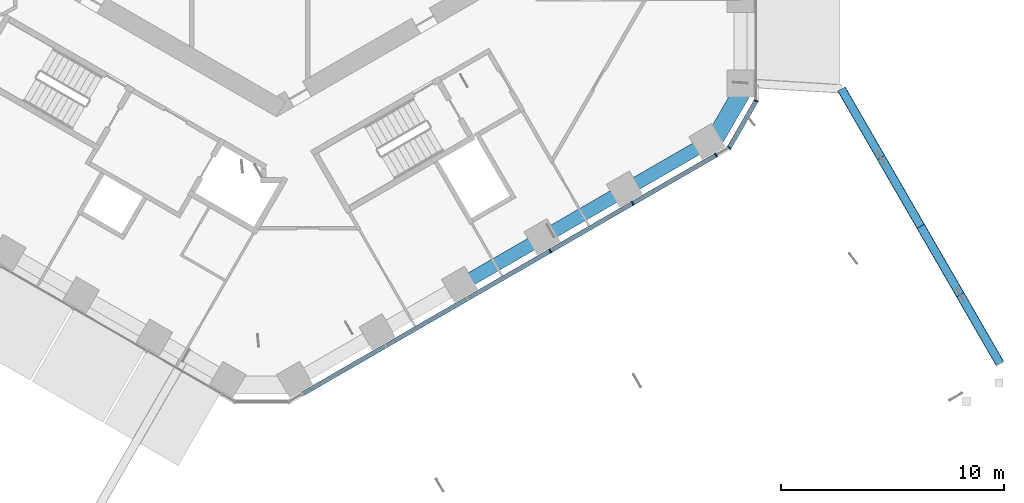
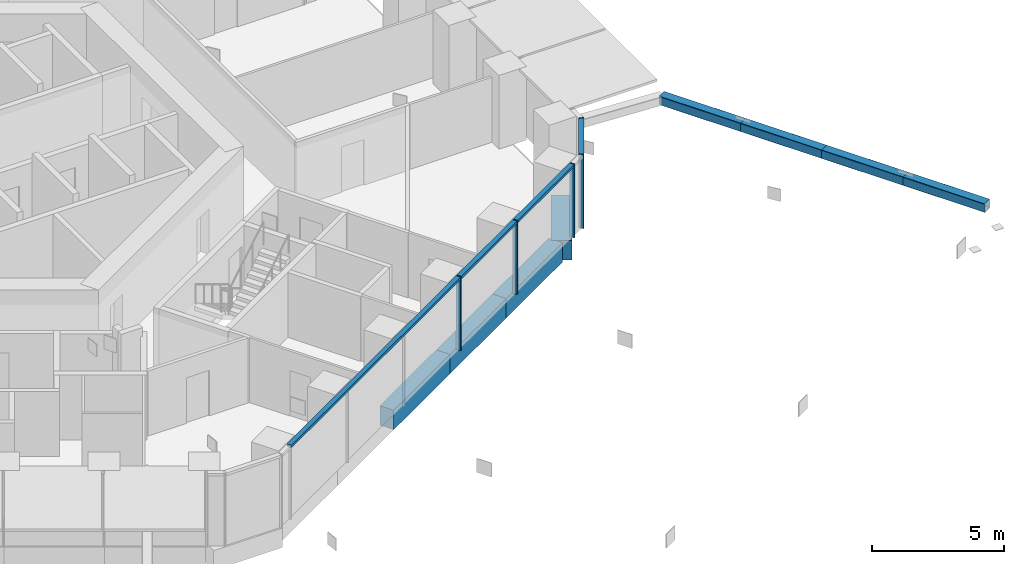
# One storey, part 3 of 22: 11 members, 4 beams, 2 elements without a shape of their own.
"""IFC4 building model written with IfcOpenShell, lengths in metres."""

import ifcopenshell
import ifcopenshell.guid

model = None  # the IFC model being written
_history = None  # IfcOwnerHistory: only IFC2X3 demands one
_inside = {}  # id of a spatial element -> (the spatial element, [elements in it])
_under = {}  # id of a project, library or spatial element -> (it, [spatial elements below it])
_declared = {}  # id of a project -> (the project, [libraries it declares])
_typed = {}  # id of a type object -> (the type object, [elements of that type])
_made_of = {}  # id of a material, layer set ... -> (it, [elements and type objects made of it])


def new_model(schema):
    """Start an empty IFC model of exactly this schema.

    Asked for "IFC4X3", IfcOpenShell would pick the latest addendum, in which some entities
    have other attributes; the version numbers below select the first issue.
    IFC2X3 requires an IfcOwnerHistory on every rooted entity: one is made here for all.
    """
    global model, _history
    if schema == "IFC4X3":
        model = ifcopenshell.file(schema_version=(4, 3, 0, 0))
    else:
        model = ifcopenshell.file(schema=schema)
    _inside.clear()
    _under.clear()
    _declared.clear()
    _typed.clear()
    _made_of.clear()
    _history = None
    if model.schema == "IFC2X3":
        org = make("IfcOrganization", Name="unknown")
        user = make(
            "IfcPersonAndOrganization",
            ThePerson=make("IfcPerson", FamilyName="unknown"),
            TheOrganization=org,
        )
        app = make(
            "IfcApplication",
            ApplicationDeveloper=org,
            Version="unknown",
            ApplicationFullName="unknown",
            ApplicationIdentifier="unknown",
        )
        _history = make(
            "IfcOwnerHistory",
            OwningUser=user,
            OwningApplication=app,
            ChangeAction="ADDED",
            CreationDate=0,
        )
    return model


def make(cls, **values):
    """One entity of the class cls with the attributes given. An attribute that is None is left unset."""
    return model.create_entity(
        cls, **{name: value for name, value in values.items() if value is not None}
    )


def rooted(cls, **values):
    """An entity with a GlobalId (a new one), such as an element, a storey or a relation."""
    return make(cls, GlobalId=ifcopenshell.guid.new(), OwnerHistory=_history, **values)


def si_unit(unit_type, name, prefix=None):
    """IfcSIUnit, for example si_unit("LENGTHUNIT", "METRE", prefix="MILLI")."""
    return make("IfcSIUnit", UnitType=unit_type, Prefix=prefix, Name=name)


def assignment(units):
    """IfcUnitAssignment: the units of a project."""
    return None if units is None else make("IfcUnitAssignment", Units=units)


def point(xyz):
    """IfcCartesianPoint."""
    return None if xyz is None else make("IfcCartesianPoint", Coordinates=xyz)


def direction(xyz):
    """IfcDirection."""
    return None if xyz is None else make("IfcDirection", DirectionRatios=xyz)


def frame(location, z_axis=None, x_axis=None):
    """IfcAxis2Placement3D, a coordinate frame: its origin and axes. An axis left out is left unset."""
    return make(
        "IfcAxis2Placement3D",
        Location=point(location),
        Axis=direction(z_axis),
        RefDirection=direction(x_axis),
    )


def frame_2d(location, x_axis=None):
    """IfcAxis2Placement2D, a coordinate frame in the plane: its origin and x axis."""
    return make(
        "IfcAxis2Placement2D", Location=point(location), RefDirection=direction(x_axis)
    )


def origin():
    """The frame at (0, 0, 0) with its axes left unset."""
    return frame((0.0, 0.0, 0.0))


def origin_2d():
    """The frame at (0, 0) in the plane with its x axis left unset."""
    return frame_2d((0.0, 0.0))


def place(relative_to, where):
    """IfcLocalPlacement: puts the frame where relative to a parent placement (None: the world)."""
    return make(
        "IfcLocalPlacement", PlacementRelTo=relative_to, RelativePlacement=where
    )


def context(
    kind, dimensions, precision=None, world=None, true_north=None, identifier=None
):
    """IfcGeometricRepresentationContext, for example the 3D "Model" context."""
    return make(
        "IfcGeometricRepresentationContext",
        ContextIdentifier=identifier,
        ContextType=kind,
        CoordinateSpaceDimension=dimensions,
        Precision=precision,
        WorldCoordinateSystem=world,
        TrueNorth=true_north,
    )


def subcontext(parent, identifier, kind, view, scale=None):
    """IfcGeometricRepresentationSubContext, for example "Body" below "Model"."""
    return make(
        "IfcGeometricRepresentationSubContext",
        ContextIdentifier=identifier,
        ContextType=kind,
        ParentContext=parent,
        TargetScale=scale,
        TargetView=view,
    )


def project(units=None, contexts=None):
    """IfcProject with its units and contexts."""
    return rooted(
        "IfcProject",
        Name="project",
        RepresentationContexts=contexts,
        UnitsInContext=assignment(units),
    )


def spatial(cls, under=None, at=None, **own):
    """A site, building, storey or space (cls), placed at a placement, below another one or the project."""
    s = rooted(cls, ObjectPlacement=at, **own)
    if under is not None:
        _under.setdefault(under.id(), (under, []))[1].append(s)
    return s


def profile(cls, at=None, kind="AREA", **sizes):
    """A parametric profile (cls). Its sizes go by their IFC names, for example OverallWidth=200.0."""
    return make(cls, ProfileType=kind, Position=at, **sizes)


def rectangle(**sizes):
    """IfcRectangleProfileDef."""
    return profile("IfcRectangleProfileDef", **sizes)


def hollow_rectangle(**sizes):
    """IfcRectangleHollowProfileDef."""
    return profile("IfcRectangleHollowProfileDef", **sizes)


def extrude(swept, where, along, depth):
    """IfcExtrudedAreaSolid: the profile swept, set in the frame where, extruded along a direction by depth."""
    return make(
        "IfcExtrudedAreaSolid",
        SweptArea=swept,
        Position=where,
        ExtrudedDirection=direction(along),
        Depth=depth,
    )


def shape(context_of_items, identifier, shape_type, items):
    """IfcShapeRepresentation: the items that make up one representation, for example the "Body"."""
    return make(
        "IfcShapeRepresentation",
        ContextOfItems=context_of_items,
        RepresentationIdentifier=identifier,
        RepresentationType=shape_type,
        Items=items,
    )


def material(Name=None, Category=None):
    """IfcMaterial."""
    return make("IfcMaterial", Name=Name, Category=Category)


def layer(
    of_material, thickness, ventilated=None, Name=None, Category=None, Priority=None
):
    """IfcMaterialLayer: one layer of a wall or slab, of a material (None: an air gap)."""
    return make(
        "IfcMaterialLayer",
        Material=of_material,
        LayerThickness=thickness,
        IsVentilated=ventilated,
        Name=Name,
        Category=Category,
        Priority=Priority,
    )


def layer_set(layers, Name=None):
    """IfcMaterialLayerSet."""
    return make("IfcMaterialLayerSet", MaterialLayers=layers, LayerSetName=Name)


def material_profile(
    of_material, cross_section, Name=None, Category=None, Priority=None
):
    """IfcMaterialProfile: a cross section and its material."""
    return make(
        "IfcMaterialProfile",
        Name=Name,
        Material=of_material,
        Profile=cross_section,
        Priority=Priority,
        Category=Category,
    )


def profile_set(profiles, Name=None, composite=None):
    """IfcMaterialProfileSet."""
    return make(
        "IfcMaterialProfileSet",
        Name=Name,
        MaterialProfiles=profiles,
        CompositeProfile=composite,
    )


def made_of(thing, what):
    """Note that an element or type object is made of a material, layer set ...; save() writes the relation."""
    if what is not None:
        _made_of.setdefault(what.id(), (what, []))[1].append(thing)
    return thing


def type_object(cls, material=None, **own):
    """A type object (cls), such as IfcWallType, which elements share."""
    return made_of(rooted(cls, **own), material)


def element(
    cls,
    number,
    at=None,
    inside=None,
    cuts=None,
    type_object=None,
    material=None,
    context=None,
    identifier="Body",
    shape_type=None,
    held_by="IfcProductDefinitionShape",
    body=None,
    shapes=None,
    **own,
):
    """One element of the class cls, such as IfcWall. Its Tag is "e" and its number.

    at: its placement. inside: the storey or other place that contains it. cuts: it is an
    opening in that element (IfcRelVoidsElement). A single representation is given by context,
    identifier, shape_type and body (its items); several are given by shapes. held_by: the class
    of the entity that holds the representations. save() writes the other relations.
    """
    e = rooted(cls, Tag="e%d" % number, ObjectPlacement=at, **own)
    if body is not None:
        shapes = [shape(context, identifier, shape_type, body)]
    if shapes is not None:
        e.Representation = make(held_by, Representations=shapes)
    if inside is not None:
        _inside.setdefault(inside.id(), (inside, []))[1].append(e)
    if cuts is not None:
        rooted(
            "IfcRelVoidsElement", RelatingBuildingElement=cuts, RelatedOpeningElement=e
        )
    if type_object is not None:
        _typed.setdefault(type_object.id(), (type_object, []))[1].append(e)
    return made_of(e, material)


def aggregate(whole, parts):
    """IfcRelAggregates: a whole, such as a stair, and the parts it consists of."""
    return rooted("IfcRelAggregates", RelatingObject=whole, RelatedObjects=parts)


def save(model, path):
    """Write the relations noted so far, then the file.

    IfcRelAggregates (storeys below a building ...), IfcRelContainedInSpatialStructure (elements
    in a storey), IfcRelDefinesByType, IfcRelAssociatesMaterial and IfcRelDeclares: one each for
    every whole, place, type object, material and project.
    """
    for whole, parts in _under.values():
        aggregate(whole, parts)
    for where, things in _inside.values():
        rooted(
            "IfcRelContainedInSpatialStructure",
            RelatedElements=things,
            RelatingStructure=where,
        )
    for kind, things in _typed.values():
        rooted("IfcRelDefinesByType", RelatedObjects=things, RelatingType=kind)
    for what, things in _made_of.values():
        rooted("IfcRelAssociatesMaterial", RelatedObjects=things, RelatingMaterial=what)
    for by, libraries in _declared.values():
        rooted("IfcRelDeclares", RelatingContext=by, RelatedDefinitions=libraries)
    model.write(path)


model = new_model("IFC4")

# Units and contexts
model_context = context("Model", 3, precision=1e-05, world=origin(), true_north=direction((0.0, 1.0)))
body_context = subcontext(model_context, "Body", "Model", "MODEL_VIEW")
ifc_project = project(units=[si_unit("LENGTHUNIT", "METRE"), si_unit("AREAUNIT", "SQUARE_METRE"), si_unit("VOLUMEUNIT", "CUBIC_METRE"), si_unit("PLANEANGLEUNIT", "RADIAN"), si_unit("MASSUNIT", "GRAM", prefix="KILO")], contexts=[model_context])

# Site, building, storey
site_placement = place(None, origin())
site = spatial("IfcSite", under=ifc_project, at=site_placement, CompositionType="ELEMENT")
building_placement = place(site_placement, origin())
building = spatial("IfcBuilding", under=site, at=building_placement, Name="Ayvan Gate Tower", CompositionType="ELEMENT")
storey_placement = place(building_placement, frame((0.0, 0.0, 62.89990234375)))
storey = spatial("IfcBuildingStorey", under=building, at=storey_placement, Name="L16", CompositionType="ELEMENT", Elevation=62.89990234375)

# Beam
ifc_material_1 = material(Name="Concrete C40/50", Category="concrete")
ifc_material_profile_1 = material_profile(ifc_material_1, rectangle(XDim=0.800048828125, YDim=0.89990234375, at=origin_2d()), Name="RC 800x900")
ifc_profile_set_1 = profile_set([ifc_material_profile_1], Name="Concrete C40/50")
beam_type_1 = type_object("IfcBeamType", Name="Corner spandrel beam RC 800x900 C40/50", PredefinedType="BEAM", material=ifc_profile_set_1)
beam_1_placement = place(storey_placement, frame((19.47509765625, -12.23828125, -0.7998046875), z_axis=(0.50002537861, 0.866010750942, 0.0), x_axis=(-0.866010750942, 0.50002537861, 0.0)))
element("IfcBeam", 1, at=beam_1_placement, inside=storey, type_object=beam_type_1, Name="SB-L16-36", PredefinedType="BEAM", context=body_context, shape_type="SweptSolid", body=[
    extrude(rectangle(XDim=0.800048828125, YDim=0.89990234375, at=origin_2d()), origin(), (0.0, 0.0, 1.0), 2.999755859375),
])

# Members
ifc_material_2 = material(Name="Steel S460NH", Category="steel")
ifc_material_profile_2 = material_profile(ifc_material_2, hollow_rectangle(XDim=0.39990234375, YDim=0.39990234375, WallThickness=0.02001953125, InnerFilletRadius=0.02001953125, OuterFilletRadius=0.030029296875, at=origin_2d()), Name="RHS 400x400x20")
ifc_profile_set_2 = profile_set([ifc_material_profile_2], Name="Steel S460NH")
member_type_1 = type_object("IfcMemberType", Name="Sky bar truss brace B1 RHS 400x400x20", PredefinedType="BRACE", material=ifc_profile_set_2)
for number, where, z_axis, x_axis, name in (
    (2, (25.306396484375, -9.7216796875, 2.650146484375), (0.499970499736, -0.8660424351, 0.0), (0.8660424351, 0.499970499736, 0.0), "SBX1-A-BC-2"),
    (3, (27.081298828125, -12.796142578125, 2.650146484375), (0.499970499736, -0.8660424351, 0.0), (0.8660424351, 0.499970499736, 0.0), "SBX1-A-BC-3"),
):
    element("IfcMember", number, at=place(storey_placement, frame(where, z_axis=z_axis, x_axis=x_axis)), inside=storey, type_object=member_type_1, Name=name, PredefinedType="CHORD", context=body_context, shape_type="SweptSolid", body=[
        extrude(hollow_rectangle(XDim=0.39990234375, YDim=0.39990234375, WallThickness=0.02001953125, InnerFilletRadius=0.02001953125, OuterFilletRadius=0.030029296875, at=origin_2d()), origin(), (0.0, 0.0, 1.0), 3.550048828125),
    ])
member_1_placement = place(storey_placement, frame((28.856201171875, -15.87060546875, 2.650146484375), z_axis=(0.500051858269, -0.865995461329, 0.0), x_axis=(0.865995461329, 0.500051858269, 0.0)))
element("IfcMember", 4, at=member_1_placement, inside=storey, type_object=member_type_1, Name="SBX1-A-BC-4", PredefinedType="CHORD", context=body_context, shape_type="SweptSolid", body=[
    extrude(hollow_rectangle(XDim=0.39990234375, YDim=0.39990234375, WallThickness=0.02001953125, InnerFilletRadius=0.02001953125, OuterFilletRadius=0.030029296875, at=origin_2d()), origin(), (0.0, 0.0, 1.0), 3.5498046875),
])
member_2_placement = place(storey_placement, frame((30.63134765625, -18.94482421875, 2.650146484375), z_axis=(0.499970499736, -0.8660424351, 0.0), x_axis=(0.8660424351, 0.499970499736, 0.0)))
element("IfcMember", 5, at=member_2_placement, inside=storey, type_object=member_type_1, Name="SBX1-A-BC-5", PredefinedType="CHORD", context=body_context, shape_type="SweptSolid", body=[
    extrude(hollow_rectangle(XDim=0.39990234375, YDim=0.39990234375, WallThickness=0.02001953125, InnerFilletRadius=0.02001953125, OuterFilletRadius=0.030029296875, at=origin_2d()), origin(), (0.0, 0.0, 1.0), 3.550048828125),
])

# Beams
ifc_material_profile_3 = material_profile(ifc_material_1, rectangle(XDim=0.60009765625, YDim=0.89990234375, at=origin_2d()), Name="RC 600x900")
ifc_profile_set_3 = profile_set([ifc_material_profile_3], Name="Concrete C40/50")
beam_type_2 = type_object("IfcBeamType", Name="Spandrel beam RC 600x900 C40/50", PredefinedType="BEAM", material=ifc_profile_set_3)
beam_2_placement = place(storey_placement, frame((8.23046875, -18.510498046875, -0.7998046875), z_axis=(0.866024102175, 0.500002254446, 0.0), x_axis=(-0.500002254446, 0.866024102175, 0.0)))
element("IfcBeam", 6, at=beam_2_placement, inside=storey, type_object=beam_type_2, Name="SB-L16-33", PredefinedType="BEAM", context=body_context, shape_type="SweptSolid", body=[
    extrude(rectangle(XDim=0.60009765625, YDim=0.89990234375, at=origin_2d()), origin(), (0.0, 0.0, 1.0), 4.2548828125),
])
for number, where, z_axis, x_axis, name in (
    (7, (11.915283203125, -16.383056640625, -0.7998046875), (0.866009756179, 0.500027101468, 0.0), (-0.500027101468, 0.866009756179, 0.0), "SB-L16-34"),
    (8, (15.599853515625, -14.255615234375, -0.7998046875), (0.866048947811, 0.499959218332, 0.0), (-0.499959218332, 0.866048947811, 0.0), "SB-L16-35"),
):
    element("IfcBeam", number, at=place(storey_placement, frame(where, z_axis=z_axis, x_axis=x_axis)), inside=storey, type_object=beam_type_2, Name=name, PredefinedType="BEAM", context=body_context, shape_type="SweptSolid", body=[
        extrude(rectangle(XDim=0.60009765625, YDim=0.89990234375, at=origin_2d()), origin(), (0.0, 0.0, 1.0), 4.254638671875),
    ])

# Curtain wall, members
ifc_material_3 = material(Name="Bronze anodised aluminium", Category="aluminium")
ifc_layer_1 = layer(ifc_material_3, 0.199951171875)
ifc_layer_set_1 = layer_set([ifc_layer_1], Name="Bronze anodised aluminium")
curtain_wall_type_1 = type_object("IfcCurtainWallType", Name="Stick curtain wall CW-1", PredefinedType="NOTDEFINED", material=ifc_layer_set_1)
curtain_wall_1_placement = place(storey_placement, origin())
curtain_wall_1 = element("IfcCurtainWall", 9, at=curtain_wall_1_placement, inside=storey, type_object=curtain_wall_type_1, Name="Stick curtain wall CW-1 L16", PredefinedType="NOTDEFINED")
ifc_material_profile_4 = material_profile(ifc_material_3, rectangle(XDim=0.199951171875, YDim=0.06005859375, at=origin_2d()), Name="Stick curtain wall CW-1 mullion 200 x 60")
ifc_profile_set_4 = profile_set([ifc_material_profile_4], Name="Bronze anodised aluminium")
member_type_2 = type_object("IfcMemberType", Name="Stick curtain wall CW-1 mullion 200 x 60", PredefinedType="MULLION", material=ifc_profile_set_4)
member_3_placement = place(storey_placement, frame((12.26220703125, -16.974853515625, 0.0), z_axis=(0.0, 0.0, 1.0), x_axis=(0.5, -0.866025403784, 0.0)))
member_3 = element("IfcMember", 10, at=member_3_placement, type_object=member_type_2, Name="CW-1 mullion 4", PredefinedType="MULLION", context=body_context, shape_type="SweptSolid", body=[
    extrude(rectangle(XDim=0.199951171875, YDim=0.06005859375, at=origin_2d()), origin(), (0.0, 0.0, 1.0), 3.400146484375),
])
member_4_placement = place(storey_placement, frame((15.955810546875, -14.84228515625, 0.0), z_axis=(0.0, 0.0, 1.0), x_axis=(0.5, -0.866025403784, 0.0)))
member_4 = element("IfcMember", 11, at=member_4_placement, type_object=member_type_2, Name="CW-1 mullion 5", PredefinedType="MULLION", context=body_context, shape_type="SweptSolid", body=[
    extrude(rectangle(XDim=0.199951171875, YDim=0.06005859375, at=origin_2d()), origin(), (0.0, 0.0, 1.0), 3.400146484375),
])
member_5_placement = place(storey_placement, frame((19.6884765625, -12.687255859375, 0.0), z_axis=(0.0, 0.0, 1.0), x_axis=(0.5, -0.866025403784, 0.0)))
member_5 = element("IfcMember", 12, at=member_5_placement, type_object=member_type_2, Name="CW-1 mullion 6", PredefinedType="MULLION", context=body_context, shape_type="SweptSolid", body=[
    extrude(rectangle(XDim=0.199951171875, YDim=0.06005859375, at=origin_2d()), origin(), (0.0, 0.0, 1.0), 3.400146484375),
])
ifc_material_profile_5 = material_profile(ifc_material_3, rectangle(XDim=0.199951171875, YDim=0.1201171875, at=origin_2d()), Name="Stick curtain wall CW-1 transom 200 x 120")
ifc_profile_set_5 = profile_set([ifc_material_profile_5], Name="Bronze anodised aluminium")
member_type_3 = type_object("IfcMemberType", Name="Stick curtain wall CW-1 transom 200 x 120", PredefinedType="USERDEFINED", material=ifc_profile_set_5)
member_6_placement = place(storey_placement, frame((1.143310546875, -23.394287109375, 3.340087890625), z_axis=(0.866025916208, 0.499999112455, 0.0), x_axis=(-0.499999112455, 0.866025916208, 0.0)))
member_6 = element("IfcMember", 13, at=member_6_placement, type_object=member_type_3, Name="CW-1 transom 1", ObjectType="TRANSOM", PredefinedType="USERDEFINED", context=body_context, shape_type="SweptSolid", body=[
    extrude(rectangle(XDim=0.199951171875, YDim=0.1201171875, at=origin_2d()), origin(), (0.0, 0.0, 1.0), 21.4140625),
])
aggregate(curtain_wall_1, [member_3, member_4, member_5, member_6])

ifc_layer_2 = layer(ifc_material_3, 0.199951171875)
ifc_layer_set_2 = layer_set([ifc_layer_2], Name="Bronze anodised aluminium")
curtain_wall_type_2 = type_object("IfcCurtainWallType", Name="Stick curtain wall CW-6", PredefinedType="NOTDEFINED", material=ifc_layer_set_2)
curtain_wall_2_placement = place(storey_placement, origin())
curtain_wall_2 = element("IfcCurtainWall", 14, at=curtain_wall_2_placement, inside=storey, type_object=curtain_wall_type_2, Name="Stick curtain wall CW-6 L16", PredefinedType="NOTDEFINED")
ifc_material_profile_6 = material_profile(ifc_material_3, rectangle(XDim=0.199951171875, YDim=0.050048828125, at=origin_2d()), Name="Stick curtain wall CW-6 mullion 200 x 50")
ifc_profile_set_6 = profile_set([ifc_material_profile_6], Name="Bronze anodised aluminium")
member_type_4 = type_object("IfcMemberType", Name="Stick curtain wall CW-6 mullion 200 x 50", PredefinedType="MULLION", material=ifc_profile_set_6)
member_7_placement = place(storey_placement, frame((20.27734375, -12.347412109375, 0.0), z_axis=(0.0, 0.0, 1.0), x_axis=(0.707106781187, -0.707106781187, 0.0)))
member_7 = element("IfcMember", 15, at=member_7_placement, type_object=member_type_4, Name="CW-6 mullion 2", PredefinedType="MULLION", context=body_context, shape_type="SweptSolid", body=[
    extrude(rectangle(XDim=0.199951171875, YDim=0.050048828125, at=origin_2d()), origin(), (0.0, 0.0, 1.0), 3.400146484375),
])
member_8_placement = place(storey_placement, frame((21.484619140625, -10.25634765625, 0.0), z_axis=(0.0, 0.0, 1.0), x_axis=(0.965925826289, -0.258819045103, 0.0)))
member_8 = element("IfcMember", 16, at=member_8_placement, type_object=member_type_4, Name="CW-6 mullion 3", PredefinedType="MULLION", context=body_context, shape_type="SweptSolid", body=[
    extrude(rectangle(XDim=0.199951171875, YDim=0.050048828125, at=origin_2d()), origin(), (0.0, 0.0, 1.0), 3.400146484375),
])
ifc_material_profile_7 = material_profile(ifc_material_3, rectangle(XDim=0.199951171875, YDim=0.1201171875, at=origin_2d()), Name="Stick curtain wall CW-6 transom 200 x 120")
ifc_profile_set_7 = profile_set([ifc_material_profile_7], Name="Bronze anodised aluminium")
member_type_5 = type_object("IfcMemberType", Name="Stick curtain wall CW-6 transom 200 x 120", PredefinedType="USERDEFINED", material=ifc_profile_set_7)
member_9_placement = place(storey_placement, frame((20.289794921875, -12.32568359375, 3.340087890625), z_axis=(0.500014398087, 0.866017090885, 0.0), x_axis=(-0.866017090885, 0.500014398087, 0.0)))
member_9 = element("IfcMember", 17, at=member_9_placement, type_object=member_type_5, Name="CW-6 transom 2", ObjectType="TRANSOM", PredefinedType="USERDEFINED", context=body_context, shape_type="SweptSolid", body=[
    extrude(rectangle(XDim=0.199951171875, YDim=0.1201171875, at=origin_2d()), origin(), (0.0, 0.0, 1.0), 2.36474609375),
])
aggregate(curtain_wall_2, [member_7, member_8, member_9])

save(model, "model.ifc")
